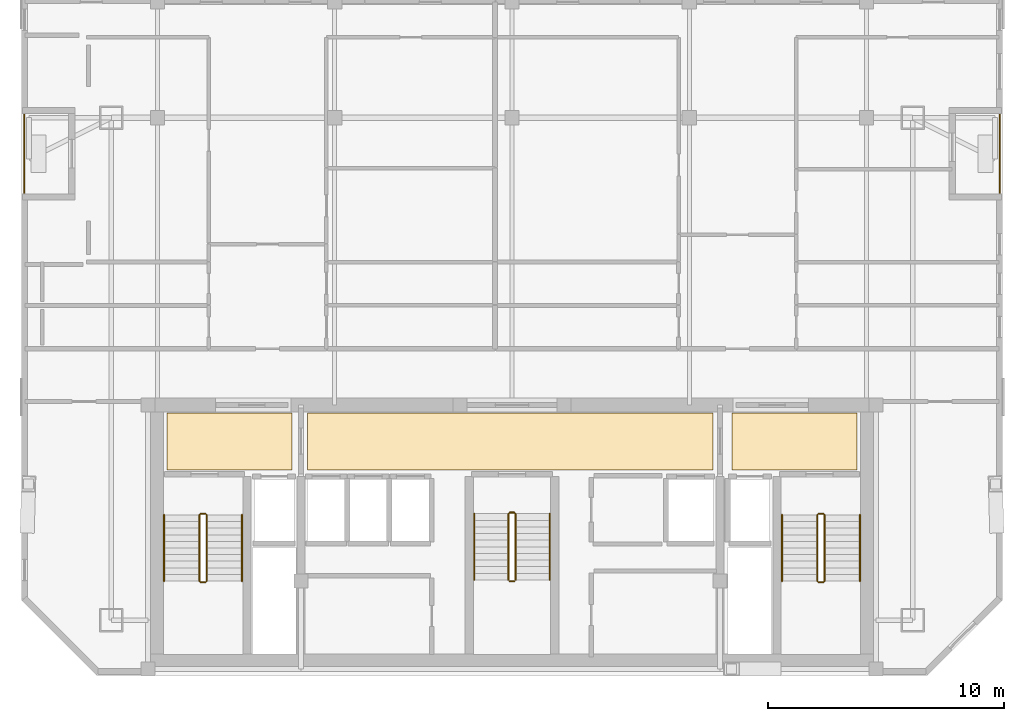
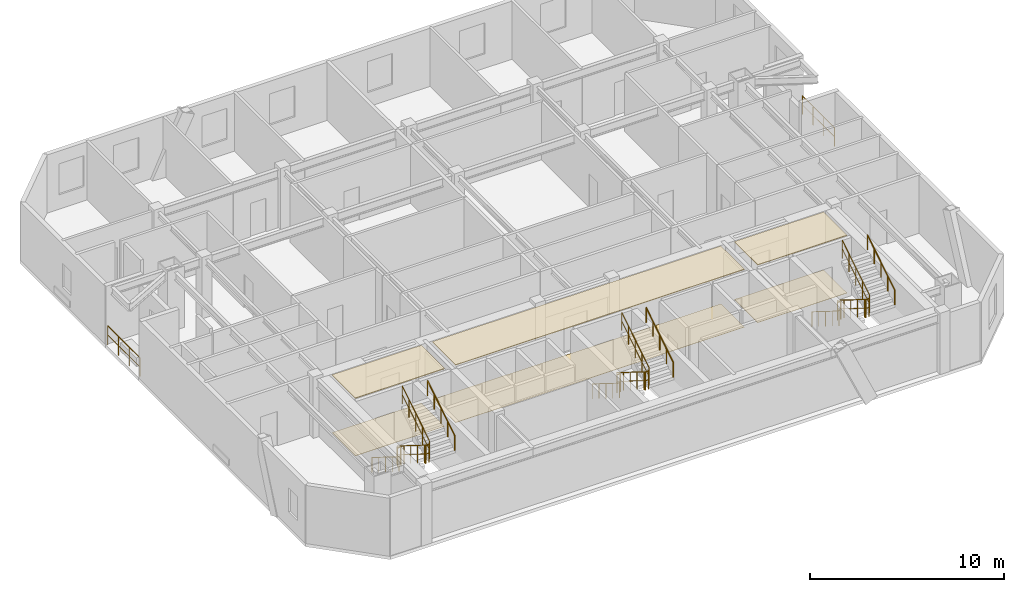
# One storey, part 7 of 7: 20 railings, 6 coverings.
"""IFC4 building model written with IfcOpenShell, lengths in metres."""

from ifc_helpers import new_model, si_unit, direction, frame, origin, origin_2d, place, context, subcontext, project, spatial, polyline, circle, outline, extrude, material, layer, layer_set, type_object, element, save


model = new_model("IFC4")

# Units and contexts
model_context = context("Model", 3, precision=1e-05, world=origin(), true_north=direction((0.0, 1.0)))
body_context = subcontext(model_context, "Body", "Model", "MODEL_VIEW")
ifc_project = project(units=[si_unit("LENGTHUNIT", "METRE"), si_unit("AREAUNIT", "SQUARE_METRE"), si_unit("VOLUMEUNIT", "CUBIC_METRE"), si_unit("PLANEANGLEUNIT", "RADIAN"), si_unit("MASSUNIT", "GRAM", prefix="KILO")], contexts=[model_context])

# Site, building, storey
site_placement = place(None, origin())
site = spatial("IfcSite", under=ifc_project, at=site_placement, CompositionType="ELEMENT")
building_placement = place(site_placement, origin())
building = spatial("IfcBuilding", under=site, at=building_placement, Name="Ventersveld Concourse Tower", CompositionType="ELEMENT")
storey_placement = place(building_placement, frame((0.0, 0.0, 260.60009765625)))
storey = spatial("IfcBuildingStorey", under=building, at=storey_placement, Name="L64", CompositionType="ELEMENT", Elevation=260.60009765625)

# Coverings
ifc_material_1 = material(Name="Mineral-fibre acoustic ceiling tile", Category="gypsum")
ifc_layer_1 = layer(ifc_material_1, 0.0400390625)
ifc_layer_set_1 = layer_set([ifc_layer_1], Name="Mineral-fibre acoustic ceiling tile")
covering_type_1 = type_object("IfcCoveringType", Name="COV-CEIL-ACOUSTIC", PredefinedType="CEILING", material=ifc_layer_set_1)
covering_1_placement = place(storey_placement, frame((0.0, 0.0, 3.60986328125)))
element("IfcCovering", 1, at=covering_1_placement, inside=storey, type_object=covering_type_1, Name="L64 North Lift Lobby Acoustic Ceiling", PredefinedType="CEILING", context=body_context, shape_type="SweptSolid", body=[
    extrude(outline(polyline([(20.10009765625, 8.699951171875), (37.25, 8.699951171875), (37.25, 11.10009765625), (20.10009765625, 11.10009765625), (20.10009765625, 8.699951171875)])), origin(), (0.0, 0.0, 1.0), 0.0400390625),
])
covering_2_placement = place(storey_placement, frame((0.0, 0.0, 3.60986328125)))
element("IfcCovering", 2, at=covering_2_placement, inside=storey, type_object=covering_type_1, Name="L64 West Firefighting Lobby Acoustic Ceiling", PredefinedType="CEILING", context=body_context, shape_type="SweptSolid", body=[
    extrude(outline(polyline([(14.14990234375, 8.699951171875), (19.449951171875, 8.699951171875), (19.449951171875, 11.10009765625), (14.14990234375, 11.10009765625), (14.14990234375, 8.699951171875)])), origin(), (0.0, 0.0, 1.0), 0.0400390625),
])
covering_3_placement = place(storey_placement, frame((0.0, 0.0, 3.60986328125)))
element("IfcCovering", 3, at=covering_3_placement, inside=storey, type_object=covering_type_1, Name="L64 East Firefighting Lobby Acoustic Ceiling", PredefinedType="CEILING", context=body_context, shape_type="SweptSolid", body=[
    extrude(outline(polyline([(38.050048828125, 8.699951171875), (43.35009765625, 8.699951171875), (43.35009765625, 11.10009765625), (38.050048828125, 11.10009765625), (38.050048828125, 8.699951171875)])), origin(), (0.0, 0.0, 1.0), 0.0400390625),
])
ifc_material_2 = material(Name="Polished Highveld granite terrazzo", Category="masonry")
ifc_layer_2 = layer(ifc_material_2, 0.02001953125)
ifc_layer_set_2 = layer_set([ifc_layer_2], Name="Polished Highveld granite terrazzo")
covering_type_2 = type_object("IfcCoveringType", Name="COV-FLOOR-TERRAZZO", PredefinedType="FLOORING", material=ifc_layer_set_2)
covering_4_placement = place(storey_placement, origin())
element("IfcCovering", 4, at=covering_4_placement, inside=storey, type_object=covering_type_2, Name="L64 North Lift Lobby Terrazzo Flooring", PredefinedType="FLOORING", context=body_context, shape_type="SweptSolid", body=[
    extrude(outline(polyline([(20.10009765625, 8.699951171875), (37.25, 8.699951171875), (37.25, 11.10009765625), (20.10009765625, 11.10009765625), (20.10009765625, 8.699951171875)])), origin(), (0.0, 0.0, 1.0), 0.02001953125),
])
covering_5_placement = place(storey_placement, origin())
element("IfcCovering", 5, at=covering_5_placement, inside=storey, type_object=covering_type_2, Name="L64 West Firefighting Lobby Terrazzo Flooring", PredefinedType="FLOORING", context=body_context, shape_type="SweptSolid", body=[
    extrude(outline(polyline([(14.14990234375, 8.699951171875), (19.449951171875, 8.699951171875), (19.449951171875, 11.10009765625), (14.14990234375, 11.10009765625), (14.14990234375, 8.699951171875)])), origin(), (0.0, 0.0, 1.0), 0.02001953125),
])
covering_6_placement = place(storey_placement, origin())
element("IfcCovering", 6, at=covering_6_placement, inside=storey, type_object=covering_type_2, Name="L64 East Firefighting Lobby Terrazzo Flooring", PredefinedType="FLOORING", context=body_context, shape_type="SweptSolid", body=[
    extrude(outline(polyline([(38.050048828125, 8.699951171875), (43.35009765625, 8.699951171875), (43.35009765625, 11.10009765625), (38.050048828125, 11.10009765625), (38.050048828125, 8.699951171875)])), origin(), (0.0, 0.0, 1.0), 0.02001953125),
])

# Railings
ifc_material_3 = material(Name="Brushed stainless steel 316", Category="steel")
railing_type_1 = type_object("IfcRailingType", Name="GD-BAL-115", PredefinedType="GUARDRAIL", material=ifc_material_3)
railing_1_placement = place(storey_placement, frame((15.530029296875, 6.800048828125, 0.1748046875)))
element("IfcRailing", 7, at=railing_1_placement, inside=storey, type_object=railing_type_1, Name="L64 ST-01 stair guard 1", PredefinedType="GUARDRAIL", context=body_context, shape_type="SweptSolid", body=[
    extrude(circle(Radius=0.02392578125, at=origin_2d()), frame((0.0, 0.0, 1.1259765625), z_axis=(0.0, -0.848002457836, 0.529992293815), x_axis=(1.0, 0.0, 0.0)), (0.0, 0.0, 1.0), 3.302001953125),
    extrude(circle(Radius=0.01611328125, at=origin_2d()), frame((0.0, 0.0, 0.574951171875), z_axis=(0.0, -0.848002457836, 0.529992293815), x_axis=(1.0, 0.0, 0.0)), (0.0, 0.0, 1.0), 3.302001953125),
    extrude(circle(Radius=0.02099609375, at=origin_2d()), origin(), (0.0, 0.0, 1.0), 1.101806640625),
    extrude(circle(Radius=0.02099609375, at=origin_2d()), frame((0.0, -0.699951171875, 0.4375)), (0.0, 0.0, 1.0), 1.101806640625),
    extrude(circle(Radius=0.02099609375, at=origin_2d()), frame((0.0, -1.39990234375, 0.875)), (0.0, 0.0, 1.0), 1.101806640625),
    extrude(circle(Radius=0.02099609375, at=origin_2d()), frame((0.0, -2.10009765625, 1.3125)), (0.0, 0.0, 1.0), 1.101806640625),
    extrude(circle(Radius=0.02099609375, at=origin_2d()), frame((0.0, -2.800048828125, 1.75)), (0.0, 0.0, 1.0), 1.101806640625),
])
railing_2_placement = place(storey_placement, frame((15.580078125, 3.949951171875, 1.9248046875)))
element("IfcRailing", 8, at=railing_2_placement, inside=storey, type_object=railing_type_1, Name="L64 ST-01 stair guard 2", PredefinedType="GUARDRAIL", context=body_context, shape_type="SweptSolid", body=[
    extrude(circle(Radius=0.02392578125, at=origin_2d()), frame((0.0, 0.0, 1.1259765625), z_axis=(1.0, 0.0, 0.0), x_axis=(0.0, 1.0, 0.0)), (0.0, 0.0, 1.0), 0.199951171875),
    extrude(circle(Radius=0.01611328125, at=origin_2d()), frame((0.0, 0.0, 0.574951171875), z_axis=(1.0, 0.0, 0.0), x_axis=(0.0, 1.0, 0.0)), (0.0, 0.0, 1.0), 0.199951171875),
    extrude(circle(Radius=0.02099609375, at=origin_2d()), origin(), (0.0, 0.0, 1.0), 1.101806640625),
    extrude(circle(Radius=0.02099609375, at=origin_2d()), frame((0.199951171875, 0.0, 0.0)), (0.0, 0.0, 1.0), 1.101806640625),
])
railing_3_placement = place(storey_placement, frame((15.830078125, 4.0, 2.099853515625)))
element("IfcRailing", 9, at=railing_3_placement, inside=storey, type_object=railing_type_1, Name="L64 ST-01 stair guard 3", PredefinedType="GUARDRAIL", context=body_context, shape_type="SweptSolid", body=[
    extrude(circle(Radius=0.02392578125, at=origin_2d()), frame((0.0, 0.0, 1.1259765625), z_axis=(0.0, 0.848002457836, 0.529992293815), x_axis=(-1.0, 0.0, 0.0)), (0.0, 0.0, 1.0), 3.302001953125),
    extrude(circle(Radius=0.01611328125, at=origin_2d()), frame((0.0, 0.0, 0.574951171875), z_axis=(0.0, 0.848002457836, 0.529992293815), x_axis=(-1.0, 0.0, 0.0)), (0.0, 0.0, 1.0), 3.302001953125),
    extrude(circle(Radius=0.02099609375, at=origin_2d()), origin(), (0.0, 0.0, 1.0), 1.101806640625),
    extrude(circle(Radius=0.02099609375, at=origin_2d()), frame((0.0, 0.699951171875, 0.4375)), (0.0, 0.0, 1.0), 1.101806640625),
    extrude(circle(Radius=0.02099609375, at=origin_2d()), frame((0.0, 1.39990234375, 0.875)), (0.0, 0.0, 1.0), 1.101806640625),
    extrude(circle(Radius=0.02099609375, at=origin_2d()), frame((0.0, 2.10009765625, 1.3125)), (0.0, 0.0, 1.0), 1.101806640625),
    extrude(circle(Radius=0.02099609375, at=origin_2d()), frame((0.0, 2.800048828125, 1.75)), (0.0, 0.0, 1.0), 1.101806640625),
])
railing_4_placement = place(storey_placement, frame((15.580078125, 6.85009765625, 0.0)))
element("IfcRailing", 10, at=railing_4_placement, inside=storey, type_object=railing_type_1, Name="L64 ST-01 stair guard 4", PredefinedType="GUARDRAIL", context=body_context, shape_type="SweptSolid", body=[
    extrude(circle(Radius=0.02392578125, at=origin_2d()), frame((0.0, 0.0, 1.1259765625), z_axis=(1.0, 0.0, 0.0), x_axis=(0.0, 1.0, 0.0)), (0.0, 0.0, 1.0), 0.199951171875),
    extrude(circle(Radius=0.01611328125, at=origin_2d()), frame((0.0, 0.0, 0.574951171875), z_axis=(1.0, 0.0, 0.0), x_axis=(0.0, 1.0, 0.0)), (0.0, 0.0, 1.0), 0.199951171875),
    extrude(circle(Radius=0.02099609375, at=origin_2d()), origin(), (0.0, 0.0, 1.0), 1.101806640625),
    extrude(circle(Radius=0.02099609375, at=origin_2d()), frame((0.199951171875, 0.0, 0.0)), (0.0, 0.0, 1.0), 1.101806640625),
])
railing_5_placement = place(storey_placement, frame((41.669921875, 6.800048828125, 0.1748046875)))
element("IfcRailing", 11, at=railing_5_placement, inside=storey, type_object=railing_type_1, Name="L64 ST-02 stair guard 1", PredefinedType="GUARDRAIL", context=body_context, shape_type="SweptSolid", body=[
    extrude(circle(Radius=0.02392578125, at=origin_2d()), frame((0.0, 0.0, 1.1259765625), z_axis=(0.0, -0.848002457836, 0.529992293815), x_axis=(1.0, 0.0, 0.0)), (0.0, 0.0, 1.0), 3.302001953125),
    extrude(circle(Radius=0.01611328125, at=origin_2d()), frame((0.0, 0.0, 0.574951171875), z_axis=(0.0, -0.848002457836, 0.529992293815), x_axis=(1.0, 0.0, 0.0)), (0.0, 0.0, 1.0), 3.302001953125),
    extrude(circle(Radius=0.02099609375, at=origin_2d()), origin(), (0.0, 0.0, 1.0), 1.101806640625),
    extrude(circle(Radius=0.02099609375, at=origin_2d()), frame((0.0, -0.699951171875, 0.4375)), (0.0, 0.0, 1.0), 1.101806640625),
    extrude(circle(Radius=0.02099609375, at=origin_2d()), frame((0.0, -1.39990234375, 0.875)), (0.0, 0.0, 1.0), 1.101806640625),
    extrude(circle(Radius=0.02099609375, at=origin_2d()), frame((0.0, -2.10009765625, 1.3125)), (0.0, 0.0, 1.0), 1.101806640625),
    extrude(circle(Radius=0.02099609375, at=origin_2d()), frame((0.0, -2.800048828125, 1.75)), (0.0, 0.0, 1.0), 1.101806640625),
])
railing_6_placement = place(storey_placement, frame((41.719970703125, 3.949951171875, 1.9248046875)))
element("IfcRailing", 12, at=railing_6_placement, inside=storey, type_object=railing_type_1, Name="L64 ST-02 stair guard 2", PredefinedType="GUARDRAIL", context=body_context, shape_type="SweptSolid", body=[
    extrude(circle(Radius=0.02392578125, at=origin_2d()), frame((0.0, 0.0, 1.1259765625), z_axis=(1.0, 0.0, 0.0), x_axis=(0.0, 1.0, 0.0)), (0.0, 0.0, 1.0), 0.199951171875),
    extrude(circle(Radius=0.01611328125, at=origin_2d()), frame((0.0, 0.0, 0.574951171875), z_axis=(1.0, 0.0, 0.0), x_axis=(0.0, 1.0, 0.0)), (0.0, 0.0, 1.0), 0.199951171875),
    extrude(circle(Radius=0.02099609375, at=origin_2d()), origin(), (0.0, 0.0, 1.0), 1.101806640625),
    extrude(circle(Radius=0.02099609375, at=origin_2d()), frame((0.199951171875, 0.0, 0.0)), (0.0, 0.0, 1.0), 1.101806640625),
])
railing_7_placement = place(storey_placement, frame((41.969970703125, 4.0, 2.099853515625)))
element("IfcRailing", 13, at=railing_7_placement, inside=storey, type_object=railing_type_1, Name="L64 ST-02 stair guard 3", PredefinedType="GUARDRAIL", context=body_context, shape_type="SweptSolid", body=[
    extrude(circle(Radius=0.02392578125, at=origin_2d()), frame((0.0, 0.0, 1.1259765625), z_axis=(0.0, 0.848002457836, 0.529992293815), x_axis=(-1.0, 0.0, 0.0)), (0.0, 0.0, 1.0), 3.302001953125),
    extrude(circle(Radius=0.01611328125, at=origin_2d()), frame((0.0, 0.0, 0.574951171875), z_axis=(0.0, 0.848002457836, 0.529992293815), x_axis=(-1.0, 0.0, 0.0)), (0.0, 0.0, 1.0), 3.302001953125),
    extrude(circle(Radius=0.02099609375, at=origin_2d()), origin(), (0.0, 0.0, 1.0), 1.101806640625),
    extrude(circle(Radius=0.02099609375, at=origin_2d()), frame((0.0, 0.699951171875, 0.4375)), (0.0, 0.0, 1.0), 1.101806640625),
    extrude(circle(Radius=0.02099609375, at=origin_2d()), frame((0.0, 1.39990234375, 0.875)), (0.0, 0.0, 1.0), 1.101806640625),
    extrude(circle(Radius=0.02099609375, at=origin_2d()), frame((0.0, 2.10009765625, 1.3125)), (0.0, 0.0, 1.0), 1.101806640625),
    extrude(circle(Radius=0.02099609375, at=origin_2d()), frame((0.0, 2.800048828125, 1.75)), (0.0, 0.0, 1.0), 1.101806640625),
])
railing_8_placement = place(storey_placement, frame((41.719970703125, 6.85009765625, 0.0)))
element("IfcRailing", 14, at=railing_8_placement, inside=storey, type_object=railing_type_1, Name="L64 ST-02 stair guard 4", PredefinedType="GUARDRAIL", context=body_context, shape_type="SweptSolid", body=[
    extrude(circle(Radius=0.02392578125, at=origin_2d()), frame((0.0, 0.0, 1.1259765625), z_axis=(1.0, 0.0, 0.0), x_axis=(0.0, 1.0, 0.0)), (0.0, 0.0, 1.0), 0.199951171875),
    extrude(circle(Radius=0.01611328125, at=origin_2d()), frame((0.0, 0.0, 0.574951171875), z_axis=(1.0, 0.0, 0.0), x_axis=(0.0, 1.0, 0.0)), (0.0, 0.0, 1.0), 0.199951171875),
    extrude(circle(Radius=0.02099609375, at=origin_2d()), origin(), (0.0, 0.0, 1.0), 1.101806640625),
    extrude(circle(Radius=0.02099609375, at=origin_2d()), frame((0.199951171875, 0.0, 0.0)), (0.0, 0.0, 1.0), 1.101806640625),
])
railing_9_placement = place(storey_placement, frame((28.60009765625, 6.85009765625, 0.1748046875)))
element("IfcRailing", 15, at=railing_9_placement, inside=storey, type_object=railing_type_1, Name="L64 ST-03 stair guard 1", PredefinedType="GUARDRAIL", context=body_context, shape_type="SweptSolid", body=[
    extrude(circle(Radius=0.02392578125, at=origin_2d()), frame((0.0, 0.0, 1.1259765625), z_axis=(0.0, -0.848002457836, 0.529992293815), x_axis=(1.0, 0.0, 0.0)), (0.0, 0.0, 1.0), 3.302001953125),
    extrude(circle(Radius=0.01611328125, at=origin_2d()), frame((0.0, 0.0, 0.574951171875), z_axis=(0.0, -0.848002457836, 0.529992293815), x_axis=(1.0, 0.0, 0.0)), (0.0, 0.0, 1.0), 3.302001953125),
    extrude(circle(Radius=0.02099609375, at=origin_2d()), origin(), (0.0, 0.0, 1.0), 1.101806640625),
    extrude(circle(Radius=0.02099609375, at=origin_2d()), frame((0.0, -0.699951171875, 0.4375)), (0.0, 0.0, 1.0), 1.101806640625),
    extrude(circle(Radius=0.02099609375, at=origin_2d()), frame((0.0, -1.39990234375, 0.875)), (0.0, 0.0, 1.0), 1.101806640625),
    extrude(circle(Radius=0.02099609375, at=origin_2d()), frame((0.0, -2.10009765625, 1.3125)), (0.0, 0.0, 1.0), 1.101806640625),
    extrude(circle(Radius=0.02099609375, at=origin_2d()), frame((0.0, -2.800048828125, 1.75)), (0.0, 0.0, 1.0), 1.101806640625),
])
railing_10_placement = place(storey_placement, frame((28.64990234375, 4.0, 1.9248046875)))
element("IfcRailing", 16, at=railing_10_placement, inside=storey, type_object=railing_type_1, Name="L64 ST-03 stair guard 2", PredefinedType="GUARDRAIL", context=body_context, shape_type="SweptSolid", body=[
    extrude(circle(Radius=0.02392578125, at=origin_2d()), frame((0.0, 0.0, 1.1259765625), z_axis=(1.0, 0.0, 0.0), x_axis=(0.0, 1.0, 0.0)), (0.0, 0.0, 1.0), 0.2001953125),
    extrude(circle(Radius=0.01611328125, at=origin_2d()), frame((0.0, 0.0, 0.574951171875), z_axis=(1.0, 0.0, 0.0), x_axis=(0.0, 1.0, 0.0)), (0.0, 0.0, 1.0), 0.2001953125),
    extrude(circle(Radius=0.02099609375, at=origin_2d()), origin(), (0.0, 0.0, 1.0), 1.101806640625),
    extrude(circle(Radius=0.02099609375, at=origin_2d()), frame((0.2001953125, 0.0, 0.0)), (0.0, 0.0, 1.0), 1.101806640625),
])
railing_11_placement = place(storey_placement, frame((28.89990234375, 4.050048828125, 2.099853515625)))
element("IfcRailing", 17, at=railing_11_placement, inside=storey, type_object=railing_type_1, Name="L64 ST-03 stair guard 3", PredefinedType="GUARDRAIL", context=body_context, shape_type="SweptSolid", body=[
    extrude(circle(Radius=0.02392578125, at=origin_2d()), frame((0.0, 0.0, 1.1259765625), z_axis=(0.0, 0.848002457836, 0.529992293815), x_axis=(-1.0, 0.0, 0.0)), (0.0, 0.0, 1.0), 3.302001953125),
    extrude(circle(Radius=0.01611328125, at=origin_2d()), frame((0.0, 0.0, 0.574951171875), z_axis=(0.0, 0.848002457836, 0.529992293815), x_axis=(-1.0, 0.0, 0.0)), (0.0, 0.0, 1.0), 3.302001953125),
    extrude(circle(Radius=0.02099609375, at=origin_2d()), origin(), (0.0, 0.0, 1.0), 1.101806640625),
    extrude(circle(Radius=0.02099609375, at=origin_2d()), frame((0.0, 0.699951171875, 0.4375)), (0.0, 0.0, 1.0), 1.101806640625),
    extrude(circle(Radius=0.02099609375, at=origin_2d()), frame((0.0, 1.39990234375, 0.875)), (0.0, 0.0, 1.0), 1.101806640625),
    extrude(circle(Radius=0.02099609375, at=origin_2d()), frame((0.0, 2.10009765625, 1.3125)), (0.0, 0.0, 1.0), 1.101806640625),
    extrude(circle(Radius=0.02099609375, at=origin_2d()), frame((0.0, 2.800048828125, 1.75)), (0.0, 0.0, 1.0), 1.101806640625),
])
railing_12_placement = place(storey_placement, frame((28.64990234375, 6.89990234375, 0.0)))
element("IfcRailing", 18, at=railing_12_placement, inside=storey, type_object=railing_type_1, Name="L64 ST-03 stair guard 4", PredefinedType="GUARDRAIL", context=body_context, shape_type="SweptSolid", body=[
    extrude(circle(Radius=0.02392578125, at=origin_2d()), frame((0.0, 0.0, 1.1259765625), z_axis=(1.0, 0.0, 0.0), x_axis=(0.0, 1.0, 0.0)), (0.0, 0.0, 1.0), 0.2001953125),
    extrude(circle(Radius=0.01611328125, at=origin_2d()), frame((0.0, 0.0, 0.574951171875), z_axis=(1.0, 0.0, 0.0), x_axis=(0.0, 1.0, 0.0)), (0.0, 0.0, 1.0), 0.2001953125),
    extrude(circle(Radius=0.02099609375, at=origin_2d()), origin(), (0.0, 0.0, 1.0), 1.101806640625),
    extrude(circle(Radius=0.02099609375, at=origin_2d()), frame((0.2001953125, 0.0, 0.0)), (0.0, 0.0, 1.0), 1.101806640625),
])
railing_type_2 = type_object("IfcRailingType", Name="GD-TER-120", PredefinedType="GUARDRAIL", material=ifc_material_3)
for number, where, name in (
    (19, (8.11767578125, 20.430419921875, 0.0), "L64 Outdoor Terrace Guardrail NOTCH-W"),
    (20, (49.38232421875, 20.430419921875, 0.0), "L64 Outdoor Terrace Guardrail NOTCH-E"),
):
    element("IfcRailing", number, at=place(storey_placement, frame(where)), inside=storey, type_object=railing_type_2, Name=name, PredefinedType="GUARDRAIL", context=body_context, shape_type="SweptSolid", body=[
        extrude(circle(Radius=0.02392578125, at=origin_2d()), frame((0.0, 0.0, 1.17578125), z_axis=(0.0, 1.0, 0.0), x_axis=(-1.0, 0.0, 0.0)), (0.0, 0.0, 1.0), 3.2998046875),
        extrude(circle(Radius=0.01611328125, at=origin_2d()), frame((0.0, 0.0, 0.60009765625), z_axis=(0.0, 1.0, 0.0), x_axis=(-1.0, 0.0, 0.0)), (0.0, 0.0, 1.0), 3.2998046875),
        extrude(circle(Radius=0.02099609375, at=origin_2d()), origin(), (0.0, 0.0, 1.0), 1.15185546875),
        extrude(circle(Radius=0.02099609375, at=origin_2d()), frame((0.0, 1.099853515625, 0.0)), (0.0, 0.0, 1.0), 1.15185546875),
        extrude(circle(Radius=0.02099609375, at=origin_2d()), frame((0.0, 2.199951171875, 0.0)), (0.0, 0.0, 1.0), 1.15185546875),
        extrude(circle(Radius=0.02099609375, at=origin_2d()), frame((0.0, 3.2998046875, 0.0)), (0.0, 0.0, 1.0), 1.15185546875),
    ])
railing_type_3 = type_object("IfcRailingType", Name="HR-RMP-095", PredefinedType="HANDRAIL", material=ifc_material_3)
railing_13_placement = place(storey_placement, frame((14.030029296875, 6.800048828125, 0.1748046875)))
element("IfcRailing", 21, at=railing_13_placement, inside=storey, type_object=railing_type_3, Name="L64 ST-01 stair handrail 1", PredefinedType="HANDRAIL", context=body_context, shape_type="SweptSolid", body=[
    extrude(circle(Radius=0.02392578125, at=origin_2d()), frame((0.0, 0.0, 0.92578125), z_axis=(0.0, -0.848002457836, 0.529992293815), x_axis=(1.0, 0.0, 0.0)), (0.0, 0.0, 1.0), 3.302001953125),
    extrude(circle(Radius=0.02099609375, at=origin_2d()), origin(), (0.0, 0.0, 1.0), 0.90185546875),
    extrude(circle(Radius=0.02099609375, at=origin_2d()), frame((0.0, -0.699951171875, 0.4375)), (0.0, 0.0, 1.0), 0.90185546875),
    extrude(circle(Radius=0.02099609375, at=origin_2d()), frame((0.0, -1.39990234375, 0.875)), (0.0, 0.0, 1.0), 0.90185546875),
    extrude(circle(Radius=0.02099609375, at=origin_2d()), frame((0.0, -2.10009765625, 1.3125)), (0.0, 0.0, 1.0), 0.90185546875),
    extrude(circle(Radius=0.02099609375, at=origin_2d()), frame((0.0, -2.800048828125, 1.75)), (0.0, 0.0, 1.0), 0.90185546875),
])
railing_14_placement = place(storey_placement, frame((17.330078125, 4.0, 2.099853515625)))
element("IfcRailing", 22, at=railing_14_placement, inside=storey, type_object=railing_type_3, Name="L64 ST-01 stair handrail 2", PredefinedType="HANDRAIL", context=body_context, shape_type="SweptSolid", body=[
    extrude(circle(Radius=0.02392578125, at=origin_2d()), frame((0.0, 0.0, 0.92578125), z_axis=(0.0, 0.848002457836, 0.529992293815), x_axis=(-1.0, 0.0, 0.0)), (0.0, 0.0, 1.0), 3.302001953125),
    extrude(circle(Radius=0.02099609375, at=origin_2d()), origin(), (0.0, 0.0, 1.0), 0.90185546875),
    extrude(circle(Radius=0.02099609375, at=origin_2d()), frame((0.0, 0.699951171875, 0.4375)), (0.0, 0.0, 1.0), 0.90185546875),
    extrude(circle(Radius=0.02099609375, at=origin_2d()), frame((0.0, 1.39990234375, 0.875)), (0.0, 0.0, 1.0), 0.90185546875),
    extrude(circle(Radius=0.02099609375, at=origin_2d()), frame((0.0, 2.10009765625, 1.3125)), (0.0, 0.0, 1.0), 0.90185546875),
    extrude(circle(Radius=0.02099609375, at=origin_2d()), frame((0.0, 2.800048828125, 1.75)), (0.0, 0.0, 1.0), 0.90185546875),
])
railing_15_placement = place(storey_placement, frame((40.169921875, 6.800048828125, 0.1748046875)))
element("IfcRailing", 23, at=railing_15_placement, inside=storey, type_object=railing_type_3, Name="L64 ST-02 stair handrail 1", PredefinedType="HANDRAIL", context=body_context, shape_type="SweptSolid", body=[
    extrude(circle(Radius=0.02392578125, at=origin_2d()), frame((0.0, 0.0, 0.92578125), z_axis=(0.0, -0.848002457836, 0.529992293815), x_axis=(1.0, 0.0, 0.0)), (0.0, 0.0, 1.0), 3.302001953125),
    extrude(circle(Radius=0.02099609375, at=origin_2d()), origin(), (0.0, 0.0, 1.0), 0.90185546875),
    extrude(circle(Radius=0.02099609375, at=origin_2d()), frame((0.0, -0.699951171875, 0.4375)), (0.0, 0.0, 1.0), 0.90185546875),
    extrude(circle(Radius=0.02099609375, at=origin_2d()), frame((0.0, -1.39990234375, 0.875)), (0.0, 0.0, 1.0), 0.90185546875),
    extrude(circle(Radius=0.02099609375, at=origin_2d()), frame((0.0, -2.10009765625, 1.3125)), (0.0, 0.0, 1.0), 0.90185546875),
    extrude(circle(Radius=0.02099609375, at=origin_2d()), frame((0.0, -2.800048828125, 1.75)), (0.0, 0.0, 1.0), 0.90185546875),
])
railing_16_placement = place(storey_placement, frame((43.469970703125, 4.0, 2.099853515625)))
element("IfcRailing", 24, at=railing_16_placement, inside=storey, type_object=railing_type_3, Name="L64 ST-02 stair handrail 2", PredefinedType="HANDRAIL", context=body_context, shape_type="SweptSolid", body=[
    extrude(circle(Radius=0.02392578125, at=origin_2d()), frame((0.0, 0.0, 0.92578125), z_axis=(0.0, 0.848002457836, 0.529992293815), x_axis=(-1.0, 0.0, 0.0)), (0.0, 0.0, 1.0), 3.302001953125),
    extrude(circle(Radius=0.02099609375, at=origin_2d()), origin(), (0.0, 0.0, 1.0), 0.90185546875),
    extrude(circle(Radius=0.02099609375, at=origin_2d()), frame((0.0, 0.699951171875, 0.4375)), (0.0, 0.0, 1.0), 0.90185546875),
    extrude(circle(Radius=0.02099609375, at=origin_2d()), frame((0.0, 1.39990234375, 0.875)), (0.0, 0.0, 1.0), 0.90185546875),
    extrude(circle(Radius=0.02099609375, at=origin_2d()), frame((0.0, 2.10009765625, 1.3125)), (0.0, 0.0, 1.0), 0.90185546875),
    extrude(circle(Radius=0.02099609375, at=origin_2d()), frame((0.0, 2.800048828125, 1.75)), (0.0, 0.0, 1.0), 0.90185546875),
])
railing_17_placement = place(storey_placement, frame((27.14990234375, 6.85009765625, 0.1748046875)))
element("IfcRailing", 25, at=railing_17_placement, inside=storey, type_object=railing_type_3, Name="L64 ST-03 stair handrail 1", PredefinedType="HANDRAIL", context=body_context, shape_type="SweptSolid", body=[
    extrude(circle(Radius=0.02392578125, at=origin_2d()), frame((0.0, 0.0, 0.92578125), z_axis=(0.0, -0.848002457836, 0.529992293815), x_axis=(1.0, 0.0, 0.0)), (0.0, 0.0, 1.0), 3.302001953125),
    extrude(circle(Radius=0.02099609375, at=origin_2d()), origin(), (0.0, 0.0, 1.0), 0.90185546875),
    extrude(circle(Radius=0.02099609375, at=origin_2d()), frame((0.0, -0.699951171875, 0.4375)), (0.0, 0.0, 1.0), 0.90185546875),
    extrude(circle(Radius=0.02099609375, at=origin_2d()), frame((0.0, -1.39990234375, 0.875)), (0.0, 0.0, 1.0), 0.90185546875),
    extrude(circle(Radius=0.02099609375, at=origin_2d()), frame((0.0, -2.10009765625, 1.3125)), (0.0, 0.0, 1.0), 0.90185546875),
    extrude(circle(Radius=0.02099609375, at=origin_2d()), frame((0.0, -2.800048828125, 1.75)), (0.0, 0.0, 1.0), 0.90185546875),
])
railing_18_placement = place(storey_placement, frame((30.35009765625, 4.050048828125, 2.099853515625)))
element("IfcRailing", 26, at=railing_18_placement, inside=storey, type_object=railing_type_3, Name="L64 ST-03 stair handrail 2", PredefinedType="HANDRAIL", context=body_context, shape_type="SweptSolid", body=[
    extrude(circle(Radius=0.02392578125, at=origin_2d()), frame((0.0, 0.0, 0.92578125), z_axis=(0.0, 0.848002457836, 0.529992293815), x_axis=(-1.0, 0.0, 0.0)), (0.0, 0.0, 1.0), 3.302001953125),
    extrude(circle(Radius=0.02099609375, at=origin_2d()), origin(), (0.0, 0.0, 1.0), 0.90185546875),
    extrude(circle(Radius=0.02099609375, at=origin_2d()), frame((0.0, 0.699951171875, 0.4375)), (0.0, 0.0, 1.0), 0.90185546875),
    extrude(circle(Radius=0.02099609375, at=origin_2d()), frame((0.0, 1.39990234375, 0.875)), (0.0, 0.0, 1.0), 0.90185546875),
    extrude(circle(Radius=0.02099609375, at=origin_2d()), frame((0.0, 2.10009765625, 1.3125)), (0.0, 0.0, 1.0), 0.90185546875),
    extrude(circle(Radius=0.02099609375, at=origin_2d()), frame((0.0, 2.800048828125, 1.75)), (0.0, 0.0, 1.0), 0.90185546875),
])

save(model, "model.ifc")
